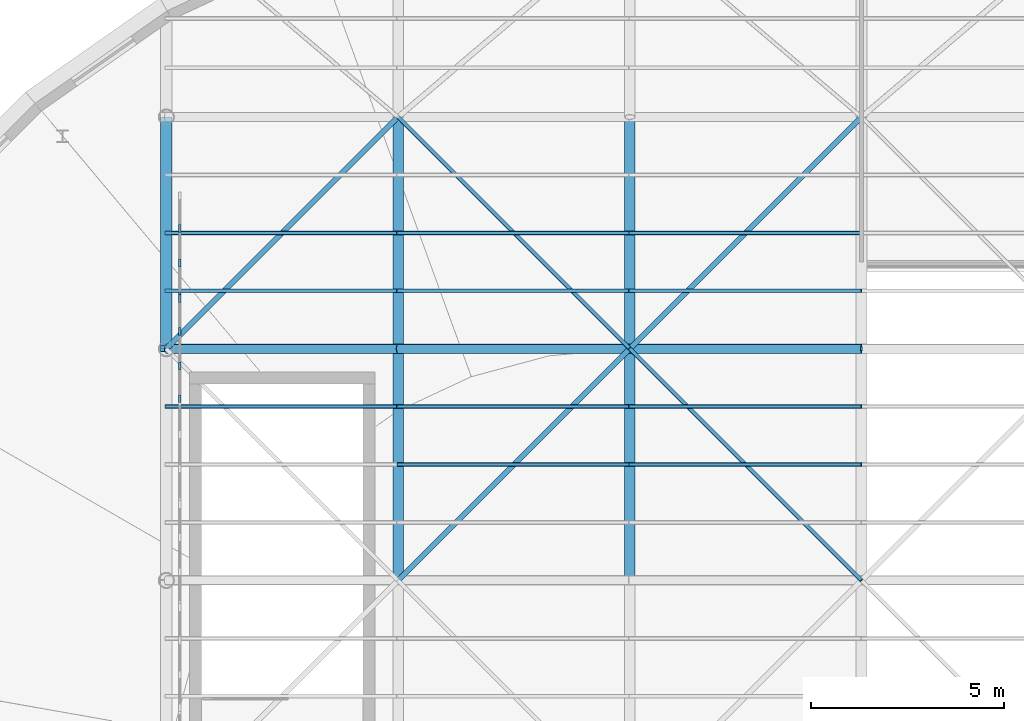
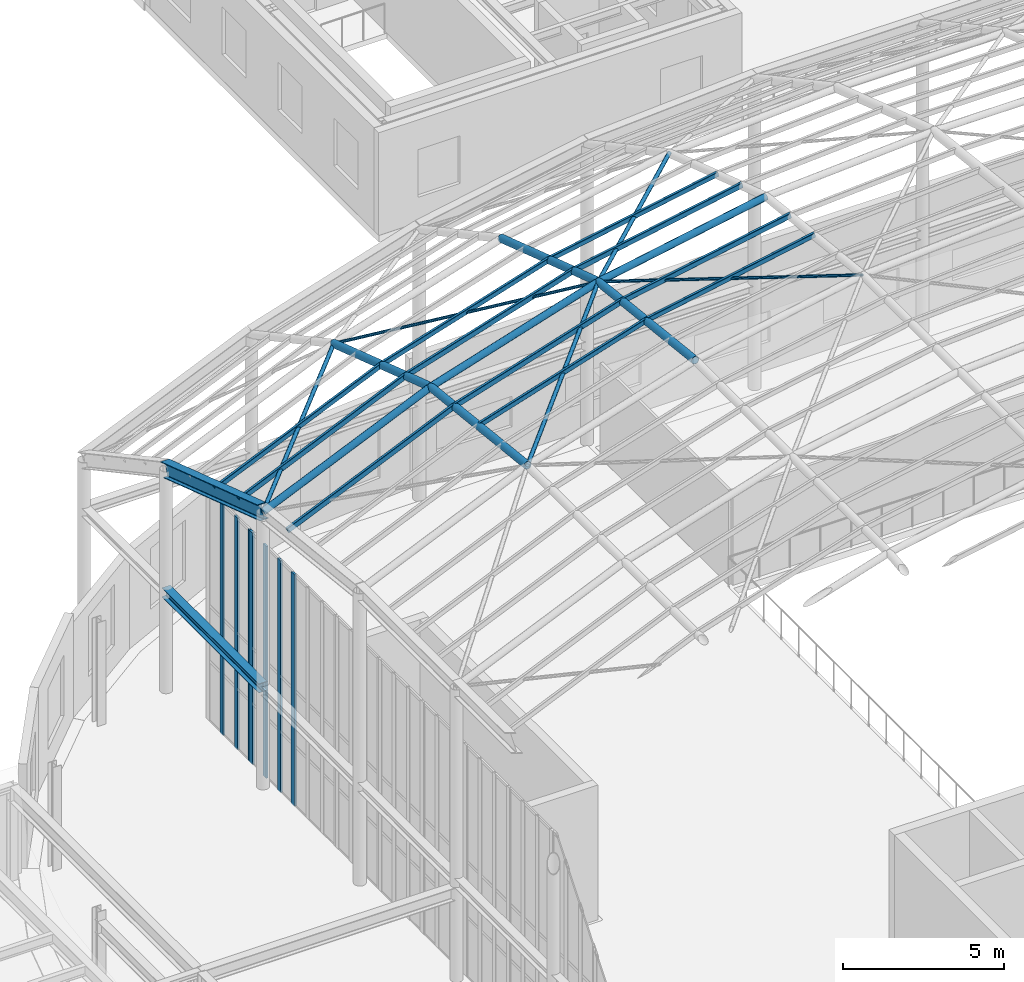
# One storey, part 21 of 75: 30 members, 2 beams, 2 elements without a shape of their own.
"""IFC4 building model written with IfcOpenShell, lengths in metres."""

from ifc_helpers import new_model, si_unit, direction, frame, origin, origin_2d, place, context, subcontext, project, spatial, rectangle, hollow_rectangle, hollow_circle, i_section, extrude, material, material_profile, profile_set, type_object, element, aggregate, save


model = new_model("IFC4")

# Units and contexts
model_context = context("Model", 3, precision=1e-05, world=origin(), true_north=direction((0.0, 1.0)))
body_context = subcontext(model_context, "Body", "Model", "MODEL_VIEW")
ifc_project = project(units=[si_unit("LENGTHUNIT", "METRE"), si_unit("AREAUNIT", "SQUARE_METRE"), si_unit("VOLUMEUNIT", "CUBIC_METRE"), si_unit("PLANEANGLEUNIT", "RADIAN"), si_unit("MASSUNIT", "GRAM", prefix="KILO")], contexts=[model_context])

# Site, building, storey
site_placement = place(None, origin())
site = spatial("IfcSite", under=ifc_project, at=site_placement, CompositionType="ELEMENT")
building_placement = place(site_placement, origin())
building = spatial("IfcBuilding", under=site, at=building_placement, Name="Kolvaren Corner Interchange", CompositionType="ELEMENT")
storey_placement = place(building_placement, frame((0.0, 0.0, 10.5)))
storey = spatial("IfcBuildingStorey", under=building, at=storey_placement, Name="L03", CompositionType="ELEMENT", Elevation=10.5)

# Beams
ifc_material_1 = material(Name="Steel S355", Category="steel")
ifc_material_profile_1 = material_profile(ifc_material_1, i_section(OverallWidth=0.300048828125, OverallDepth=0.35009765625, WebThickness=0.010009765625, FlangeThickness=0.017578125, FilletRadius=0.027099609375, at=origin_2d()), Name="HEA 360")
ifc_profile_set_1 = profile_set([ifc_material_profile_1], Name="Steel S355")
beam_type_1 = type_object("IfcBeamType", Name="BM-HEA360", PredefinedType="BEAM", material=ifc_profile_set_1)
beam_1_placement = place(storey_placement, frame((48.0, 60.0, 3.77490234375), z_axis=(0.0, 1.0, 0.0), x_axis=(-1.0, 0.0, 0.0)))
element("IfcBeam", 1, at=beam_1_placement, inside=storey, type_object=beam_type_1, Name="Storey L03 Grid Y Primary Girder 0931", PredefinedType="BEAM", context=body_context, shape_type="SweptSolid", body=[
    extrude(i_section(OverallWidth=0.300048828125, OverallDepth=0.35009765625, WebThickness=0.010009765625, FlangeThickness=0.017578125, FilletRadius=0.027099609375, at=origin_2d()), origin(), (0.0, 0.0, 1.0), 6.0),
])
ifc_material_2 = material(Name="Steel S355", Category="steel")
ifc_material_profile_2 = material_profile(ifc_material_2, i_section(OverallWidth=0.300048828125, OverallDepth=0.5400390625, WebThickness=0.012451171875, FlangeThickness=0.02392578125, FilletRadius=0.027099609375, at=origin_2d()), Name="HEA 550")
ifc_profile_set_2 = profile_set([ifc_material_profile_2], Name="Steel S355")
beam_type_2 = type_object("IfcBeamType", Name="BM-HEA550", PredefinedType="BEAM", material=ifc_profile_set_2)
beam_2_placement = place(storey_placement, frame((48.0, 60.0, 10.4130859375), z_axis=(0.0, 0.948683298051, -0.316227766017), x_axis=(-1.0, 0.0, 0.0)))
element("IfcBeam", 2, at=beam_2_placement, inside=storey, type_object=beam_type_2, Name="Concourse Translational Gridshell Eaves Ring Beam 035", PredefinedType="BEAM", context=body_context, shape_type="SweptSolid", body=[
    extrude(i_section(OverallWidth=0.300048828125, OverallDepth=0.5400390625, WebThickness=0.012451171875, FlangeThickness=0.02392578125, FilletRadius=0.027099609375, at=origin_2d()), origin(), (0.0, 0.0, 1.0), 6.324462890625),
])

# Members
ifc_material_3 = material(Name="Steel S355", Category="steel")
ifc_material_profile_3 = material_profile(ifc_material_3, hollow_circle(Radius=0.05078125, WallThickness=0.00634765625, at=origin_2d()), Name="CHS 101.6x6.3")
ifc_profile_set_3 = profile_set([ifc_material_profile_3], Name="Steel S355")
member_type_1 = type_object("IfcMemberType", Name="MEM-BR-CHS102", PredefinedType="BRACE", material=ifc_profile_set_3)
member_1_placement = place(storey_placement, frame((54.0, 66.0, 11.0380859375), z_axis=(0.643209763998, -0.643209763998, 0.415406305916), x_axis=(0.707106781187, 0.707106781187, 0.0)))
element("IfcMember", 3, at=member_1_placement, inside=storey, type_object=member_type_1, Name="Concourse Translational Gridshell Nodal Diagonal Brace 0015", PredefinedType="BRACE", context=body_context, shape_type="SweptSolid", body=[
    extrude(hollow_circle(Radius=0.05078125, WallThickness=0.00634765625, at=origin_2d()), origin(), (0.0, 0.0, 1.0), 9.328125),
])
member_2_placement = place(storey_placement, frame((60.0, 60.0, 14.9130859375), z_axis=(0.69184672185, -0.69184672185, 0.206630653417), x_axis=(0.707106781187, 0.707106781187, 0.0)))
element("IfcMember", 4, at=member_2_placement, inside=storey, type_object=member_type_1, Name="Concourse Translational Gridshell Nodal Diagonal Brace 0022", PredefinedType="BRACE", context=body_context, shape_type="SweptSolid", body=[
    extrude(hollow_circle(Radius=0.05078125, WallThickness=0.00634765625, at=origin_2d()), origin(), (0.0, 0.0, 1.0), 8.67236328125),
])
ifc_material_4 = material(Name="Steel S355", Category="steel")
ifc_material_profile_4 = material_profile(ifc_material_4, hollow_circle(Radius=0.06982421875, WallThickness=0.008056640625, at=origin_2d()), Name="CHS 139.7x8.0")
ifc_profile_set_4 = profile_set([ifc_material_profile_4], Name="Steel S355")
member_type_2 = type_object("IfcMemberType", Name="MEM-BR-CHS140", PredefinedType="BRACE", material=ifc_profile_set_4)
member_3_placement = place(storey_placement, frame((48.0, 60.0, 10.4130859375), z_axis=(0.705196401132, 0.705196401132, 0.073457958451), x_axis=(-0.707106781187, 0.707106781187, 0.0)))
element("IfcMember", 5, at=member_3_placement, inside=storey, type_object=member_type_2, Name="Concourse Translational Gridshell Nodal Diagonal Brace 0007", PredefinedType="BRACE", context=body_context, shape_type="SweptSolid", body=[
    extrude(hollow_circle(Radius=0.06982421875, WallThickness=0.008056640625, at=origin_2d()), origin(), (0.0, 0.0, 1.0), 8.50830078125),
])
member_4_placement = place(storey_placement, frame((54.0, 54.0, 13.705078125), z_axis=(0.700048143492, 0.700048143492, 0.140943937744), x_axis=(-0.707106781187, 0.707106781187, 0.0)))
element("IfcMember", 6, at=member_4_placement, inside=storey, type_object=member_type_2, Name="Concourse Translational Gridshell Nodal Diagonal Brace 0014", PredefinedType="BRACE", context=body_context, shape_type="SweptSolid", body=[
    extrude(hollow_circle(Radius=0.06982421875, WallThickness=0.008056640625, at=origin_2d()), origin(), (0.0, 0.0, 1.0), 8.57080078125),
])
member_5_placement = place(storey_placement, frame((60.0, 60.0, 14.9130859375), z_axis=(0.703376927704, 0.703376927704, -0.102575801957), x_axis=(-0.707106781187, 0.707106781187, 0.0)))
element("IfcMember", 7, at=member_5_placement, inside=storey, type_object=member_type_2, Name="Concourse Translational Gridshell Nodal Diagonal Brace 0023", PredefinedType="BRACE", context=body_context, shape_type="SweptSolid", body=[
    extrude(hollow_circle(Radius=0.06982421875, WallThickness=0.008056640625, at=origin_2d()), origin(), (0.0, 0.0, 1.0), 8.5302734375),
])
ifc_material_5 = material(Name="Steel S355", Category="steel")
ifc_material_profile_5 = material_profile(ifc_material_5, hollow_circle(Radius=0.122314453125, WallThickness=0.012451171875, at=origin_2d()), Name="CHS 244.5x12.5")
ifc_profile_set_5 = profile_set([ifc_material_profile_5], Name="Steel S355")
member_type_3 = type_object("IfcMemberType", Name="MEM-CH-CHS245", PredefinedType="CHORD", material=ifc_profile_set_5)
member_6_placement = place(storey_placement, frame((48.0, 60.0, 10.4130859375), z_axis=(0.916157334902, 0.0, 0.40081883402), x_axis=(0.0, 1.0, 0.0)))
element("IfcMember", 8, at=member_6_placement, inside=storey, type_object=member_type_3, Name="Concourse Translational Gridshell Longitudinal Arch Chord 0175", PredefinedType="CHORD", context=body_context, shape_type="SweptSolid", body=[
    extrude(hollow_circle(Radius=0.122314453125, WallThickness=0.012451171875, at=origin_2d()), origin(), (0.0, 0.0, 1.0), 6.549072265625),
])
member_7_placement = place(storey_placement, frame((54.0, 60.0, 13.0380859375), z_axis=(0.954479978035, 0.0, 0.298274993136), x_axis=(0.0, 1.0, 0.0)))
element("IfcMember", 9, at=member_7_placement, inside=storey, type_object=member_type_3, Name="Concourse Translational Gridshell Longitudinal Arch Chord 0176", PredefinedType="CHORD", context=body_context, shape_type="SweptSolid", body=[
    extrude(hollow_circle(Radius=0.122314453125, WallThickness=0.012451171875, at=origin_2d()), origin(), (0.0, 0.0, 1.0), 6.2861328125),
])
member_8_placement = place(storey_placement, frame((60.0, 60.0, 14.9130859375), z_axis=(0.982872186934, 0.0, 0.18428853505), x_axis=(0.0, 1.0, 0.0)))
element("IfcMember", 10, at=member_8_placement, inside=storey, type_object=member_type_3, Name="Concourse Translational Gridshell Longitudinal Arch Chord 0177", PredefinedType="CHORD", context=body_context, shape_type="SweptSolid", body=[
    extrude(hollow_circle(Radius=0.122314453125, WallThickness=0.012451171875, at=origin_2d()), origin(), (0.0, 0.0, 1.0), 6.1044921875),
])
ifc_material_6 = material(Name="Steel S355", Category="steel")
ifc_material_profile_6 = material_profile(ifc_material_6, hollow_circle(Radius=0.136474609375, WallThickness=0.012451171875, at=origin_2d()), Name="CHS 273.0x12.5")
ifc_profile_set_6 = profile_set([ifc_material_profile_6], Name="Steel S355")
member_type_4 = type_object("IfcMemberType", Name="MEM-CH-CHS273", PredefinedType="CHORD", material=ifc_profile_set_6)
member_9_placement = place(storey_placement, frame((54.0, 54.0, 13.705078125), z_axis=(0.0, 0.993877815052, -0.110484789662), x_axis=(-1.0, 0.0, 0.0)))
element("IfcMember", 11, at=member_9_placement, inside=storey, type_object=member_type_4, Name="Concourse Translational Gridshell Transverse Arch Chord 0006", PredefinedType="CHORD", context=body_context, shape_type="SweptSolid", body=[
    extrude(hollow_circle(Radius=0.136474609375, WallThickness=0.012451171875, at=origin_2d()), origin(), (0.0, 0.0, 1.0), 6.036865234375),
])
member_10_placement = place(storey_placement, frame((54.0, 60.0, 13.0380859375), z_axis=(0.0, 0.948683298051, -0.316227766017), x_axis=(-1.0, 0.0, 0.0)))
element("IfcMember", 12, at=member_10_placement, inside=storey, type_object=member_type_4, Name="Concourse Translational Gridshell Transverse Arch Chord 0007", PredefinedType="CHORD", context=body_context, shape_type="SweptSolid", body=[
    extrude(hollow_circle(Radius=0.136474609375, WallThickness=0.012451171875, at=origin_2d()), origin(), (0.0, 0.0, 1.0), 6.324462890625),
])
member_11_placement = place(storey_placement, frame((60.0, 54.0, 15.580078125), z_axis=(0.0, 0.993877815052, -0.110484789662), x_axis=(-1.0, 0.0, 0.0)))
element("IfcMember", 13, at=member_11_placement, inside=storey, type_object=member_type_4, Name="Concourse Translational Gridshell Transverse Arch Chord 0014", PredefinedType="CHORD", context=body_context, shape_type="SweptSolid", body=[
    extrude(hollow_circle(Radius=0.136474609375, WallThickness=0.012451171875, at=origin_2d()), origin(), (0.0, 0.0, 1.0), 6.036865234375),
])
member_12_placement = place(storey_placement, frame((60.0, 60.0, 14.9130859375), z_axis=(0.0, 0.948683298051, -0.316227766017), x_axis=(-1.0, 0.0, 0.0)))
element("IfcMember", 14, at=member_12_placement, inside=storey, type_object=member_type_4, Name="Concourse Translational Gridshell Transverse Arch Chord 0015", PredefinedType="CHORD", context=body_context, shape_type="SweptSolid", body=[
    extrude(hollow_circle(Radius=0.136474609375, WallThickness=0.012451171875, at=origin_2d()), origin(), (0.0, 0.0, 1.0), 6.324462890625),
])
ifc_material_7 = material(Name="Steel S355", Category="steel")
ifc_material_profile_7 = material_profile(ifc_material_7, hollow_rectangle(XDim=0.10009765625, YDim=0.179931640625, WallThickness=0.008056640625, InnerFilletRadius=0.008056640625, OuterFilletRadius=0.01611328125, at=origin_2d()), Name="RHS 180x100x8.0")
ifc_profile_set_7 = profile_set([ifc_material_profile_7], Name="Steel S355")
member_type_5 = type_object("IfcMemberType", Name="MEM-PR-RHS180", PredefinedType="PURLIN", material=ifc_profile_set_7)
member_13_placement = place(storey_placement, frame((48.0, 63.0, 9.4609375), z_axis=(0.916157334902, 0.0, 0.40081883402), x_axis=(0.0, 1.0, 0.0)))
element("IfcMember", 15, at=member_13_placement, inside=storey, type_object=member_type_5, Name="Concourse Translational Gridshell Glazing Purlin 0007 Row 2", PredefinedType="PURLIN", context=body_context, shape_type="SweptSolid", body=[
    extrude(hollow_rectangle(XDim=0.10009765625, YDim=0.179931640625, WallThickness=0.008056640625, InnerFilletRadius=0.008056640625, OuterFilletRadius=0.01611328125, at=origin_2d()), origin(), (0.0, 0.0, 1.0), 6.549072265625),
])
for number, where, z_axis, x_axis, name in (
    (16, (54.0, 57.0, 13.41943359375), (0.954479978035, 0.0, 0.298274993136), (0.0, 1.0, 0.0), "Concourse Translational Gridshell Glazing Purlin 0014 Row 2"),
    (17, (54.0, 63.0, 12.0859375), (0.954479978035, 0.0, 0.298274993136), (0.0, 1.0, 0.0), "Concourse Translational Gridshell Glazing Purlin 0015 Row 2"),
):
    element("IfcMember", number, at=place(storey_placement, frame(where, z_axis=z_axis, x_axis=x_axis)), inside=storey, type_object=member_type_5, Name=name, PredefinedType="PURLIN", context=body_context, shape_type="SweptSolid", body=[
        extrude(hollow_rectangle(XDim=0.10009765625, YDim=0.179931640625, WallThickness=0.008056640625, InnerFilletRadius=0.008056640625, OuterFilletRadius=0.01611328125, at=origin_2d()), origin(), (0.0, 0.0, 1.0), 6.2861328125),
    ])
for number, where, z_axis, x_axis, name in (
    (18, (60.0, 57.0, 15.29443359375), (0.982872186934, 0.0, 0.18428853505), (0.0, 1.0, 0.0), "Concourse Translational Gridshell Glazing Purlin 0022 Row 2"),
    (19, (60.0, 63.0, 13.9609375), (0.982872186934, 0.0, 0.18428853505), (0.0, 1.0, 0.0), "Concourse Translational Gridshell Glazing Purlin 0023 Row 2"),
):
    element("IfcMember", number, at=place(storey_placement, frame(where, z_axis=z_axis, x_axis=x_axis)), inside=storey, type_object=member_type_5, Name=name, PredefinedType="PURLIN", context=body_context, shape_type="SweptSolid", body=[
        extrude(hollow_rectangle(XDim=0.10009765625, YDim=0.179931640625, WallThickness=0.008056640625, InnerFilletRadius=0.008056640625, OuterFilletRadius=0.01611328125, at=origin_2d()), origin(), (0.0, 0.0, 1.0), 6.1044921875),
    ])
ifc_material_8 = material(Name="Steel S355", Category="steel")
ifc_material_profile_8 = material_profile(ifc_material_8, hollow_rectangle(XDim=0.10009765625, YDim=0.199951171875, WallThickness=0.008056640625, InnerFilletRadius=0.008056640625, OuterFilletRadius=0.01611328125, at=origin_2d()), Name="RHS 200x100x8.0")
ifc_profile_set_8 = profile_set([ifc_material_profile_8], Name="Steel S355")
member_type_6 = type_object("IfcMemberType", Name="MEM-PR-RHS200", PredefinedType="PURLIN", material=ifc_profile_set_8)
for number, where, z_axis, x_axis, name in (
    (20, (48.0, 58.5, 10.61767578125), (0.916157334902, 0.0, 0.40081883402), (0.0, 1.0, 0.0), "Concourse Translational Gridshell Glazing Purlin 0006 Row 3"),
    (21, (48.0, 61.5, 9.950927734375), (0.916157334902, 0.0, 0.40081883402), (0.0, 1.0, 0.0), "Concourse Translational Gridshell Glazing Purlin 0007 Row 1"),
):
    element("IfcMember", number, at=place(storey_placement, frame(where, z_axis=z_axis, x_axis=x_axis)), inside=storey, type_object=member_type_6, Name=name, PredefinedType="PURLIN", context=body_context, shape_type="SweptSolid", body=[
        extrude(hollow_rectangle(XDim=0.10009765625, YDim=0.199951171875, WallThickness=0.008056640625, InnerFilletRadius=0.008056640625, OuterFilletRadius=0.01611328125, at=origin_2d()), origin(), (0.0, 0.0, 1.0), 6.549072265625),
    ])
for number, where, z_axis, x_axis, name in (
    (22, (54.0, 58.5, 13.24267578125), (0.954479978035, 0.0, 0.298274993136), (0.0, 1.0, 0.0), "Concourse Translational Gridshell Glazing Purlin 0014 Row 3"),
    (23, (54.0, 61.5, 12.575927734375), (0.954479978035, 0.0, 0.298274993136), (0.0, 1.0, 0.0), "Concourse Translational Gridshell Glazing Purlin 0015 Row 1"),
):
    element("IfcMember", number, at=place(storey_placement, frame(where, z_axis=z_axis, x_axis=x_axis)), inside=storey, type_object=member_type_6, Name=name, PredefinedType="PURLIN", context=body_context, shape_type="SweptSolid", body=[
        extrude(hollow_rectangle(XDim=0.10009765625, YDim=0.199951171875, WallThickness=0.008056640625, InnerFilletRadius=0.008056640625, OuterFilletRadius=0.01611328125, at=origin_2d()), origin(), (0.0, 0.0, 1.0), 6.2861328125),
    ])
for number, where, z_axis, x_axis, name in (
    (24, (60.0, 58.5, 15.11767578125), (0.982872186934, 0.0, 0.18428853505), (0.0, 1.0, 0.0), "Concourse Translational Gridshell Glazing Purlin 0022 Row 3"),
    (25, (60.0, 61.5, 14.450927734375), (0.982872186934, 0.0, 0.18428853505), (0.0, 1.0, 0.0), "Concourse Translational Gridshell Glazing Purlin 0023 Row 1"),
):
    element("IfcMember", number, at=place(storey_placement, frame(where, z_axis=z_axis, x_axis=x_axis)), inside=storey, type_object=member_type_6, Name=name, PredefinedType="PURLIN", context=body_context, shape_type="SweptSolid", body=[
        extrude(hollow_rectangle(XDim=0.10009765625, YDim=0.199951171875, WallThickness=0.008056640625, InnerFilletRadius=0.008056640625, OuterFilletRadius=0.01611328125, at=origin_2d()), origin(), (0.0, 0.0, 1.0), 6.1044921875),
    ])

# Curtain wall, members
ifc_material_9 = material(Name="Unitised Aluminium and Solar-Control Glass Curtain Wall", Category="aluminium")
curtain_wall_type = type_object("IfcCurtainWallType", Name="CW-V1-CLER", PredefinedType="NOTDEFINED", material=ifc_material_9)
curtain_wall_1_placement = place(storey_placement, origin())
curtain_wall_1 = element("IfcCurtainWall", 26, at=curtain_wall_1_placement, inside=storey, type_object=curtain_wall_type, Name="Gridshell West End Curtain Wall Bay 11", PredefinedType="NOTDEFINED")
ifc_material_10 = material(Name="Anodised Aluminium Framing", Category="aluminium")
ifc_material_profile_9 = material_profile(ifc_material_10, rectangle(XDim=0.070068359375, YDim=0.199951171875, at=origin_2d()), Name="ALU 70x200")
ifc_profile_set_9 = profile_set([ifc_material_profile_9], Name="Anodised Aluminium Framing")
member_type_7 = type_object("IfcMemberType", Name="MUL-ALU70x200", PredefinedType="MULLION", material=ifc_profile_set_9)
member_14_placement = place(storey_placement, frame((48.35009765625, 58.70166015625, 0.0), z_axis=(0.0, 0.0, 1.0), x_axis=(-1.0, 0.0, 0.0)))
member_14 = element("IfcMember", 27, at=member_14_placement, type_object=member_type_7, Name="CW-092 mullion 1", PredefinedType="MULLION", context=body_context, shape_type="SweptSolid", body=[
    extrude(rectangle(XDim=0.070068359375, YDim=0.199951171875, at=origin_2d()), origin(), (0.0, 0.0, 1.0), 8.77197265625),
])
member_15_placement = place(storey_placement, frame((48.35009765625, 59.5556640625, 0.0), z_axis=(0.0, 0.0, 1.0), x_axis=(-1.0, 0.0, 0.0)))
member_15 = element("IfcMember", 28, at=member_15_placement, type_object=member_type_7, Name="CW-092 mullion 2", PredefinedType="MULLION", context=body_context, shape_type="SweptSolid", body=[
    extrude(rectangle(XDim=0.070068359375, YDim=0.199951171875, at=origin_2d()), origin(), (0.0, 0.0, 1.0), 8.77197265625),
])
member_16_placement = place(storey_placement, frame((48.35009765625, 60.4443359375, 0.0), z_axis=(0.0, 0.0, 1.0), x_axis=(-1.0, 0.0, 0.0)))
member_16 = element("IfcMember", 29, at=member_16_placement, type_object=member_type_7, Name="CW-092 mullion 3", PredefinedType="MULLION", context=body_context, shape_type="SweptSolid", body=[
    extrude(rectangle(XDim=0.070068359375, YDim=0.199951171875, at=origin_2d()), origin(), (0.0, 0.0, 1.0), 8.77197265625),
])
member_17_placement = place(storey_placement, frame((48.35009765625, 61.29833984375, 0.0), z_axis=(0.0, 0.0, 1.0), x_axis=(-1.0, 0.0, 0.0)))
member_17 = element("IfcMember", 30, at=member_17_placement, type_object=member_type_7, Name="CW-092 mullion 4", PredefinedType="MULLION", context=body_context, shape_type="SweptSolid", body=[
    extrude(rectangle(XDim=0.070068359375, YDim=0.199951171875, at=origin_2d()), origin(), (0.0, 0.0, 1.0), 8.77197265625),
])
aggregate(curtain_wall_1, [member_14, member_15, member_16, member_17])

curtain_wall_2_placement = place(storey_placement, origin())
curtain_wall_2 = element("IfcCurtainWall", 31, at=curtain_wall_2_placement, inside=storey, type_object=curtain_wall_type, Name="Gridshell West End Curtain Wall Bay 12", PredefinedType="NOTDEFINED")
member_18_placement = place(storey_placement, frame((48.35009765625, 61.368408203125, 0.0), z_axis=(0.0, 0.0, 1.0), x_axis=(-1.0, 0.0, 0.0)))
member_18 = element("IfcMember", 32, at=member_18_placement, type_object=member_type_7, Name="CW-093 mullion 1", PredefinedType="MULLION", context=body_context, shape_type="SweptSolid", body=[
    extrude(rectangle(XDim=0.070068359375, YDim=0.199951171875, at=origin_2d()), origin(), (0.0, 0.0, 1.0), 8.77197265625),
])
member_19_placement = place(storey_placement, frame((48.35009765625, 62.22216796875, 0.0), z_axis=(0.0, 0.0, 1.0), x_axis=(-1.0, 0.0, 0.0)))
member_19 = element("IfcMember", 33, at=member_19_placement, type_object=member_type_7, Name="CW-093 mullion 2", PredefinedType="MULLION", context=body_context, shape_type="SweptSolid", body=[
    extrude(rectangle(XDim=0.070068359375, YDim=0.199951171875, at=origin_2d()), origin(), (0.0, 0.0, 1.0), 8.77197265625),
])
member_20_placement = place(storey_placement, frame((48.35009765625, 63.111083984375, 0.0), z_axis=(0.0, 0.0, 1.0), x_axis=(-1.0, 0.0, 0.0)))
member_20 = element("IfcMember", 34, at=member_20_placement, type_object=member_type_7, Name="CW-093 mullion 3", PredefinedType="MULLION", context=body_context, shape_type="SweptSolid", body=[
    extrude(rectangle(XDim=0.070068359375, YDim=0.199951171875, at=origin_2d()), origin(), (0.0, 0.0, 1.0), 8.77197265625),
])
aggregate(curtain_wall_2, [member_18, member_19, member_20])

save(model, "model.ifc")
